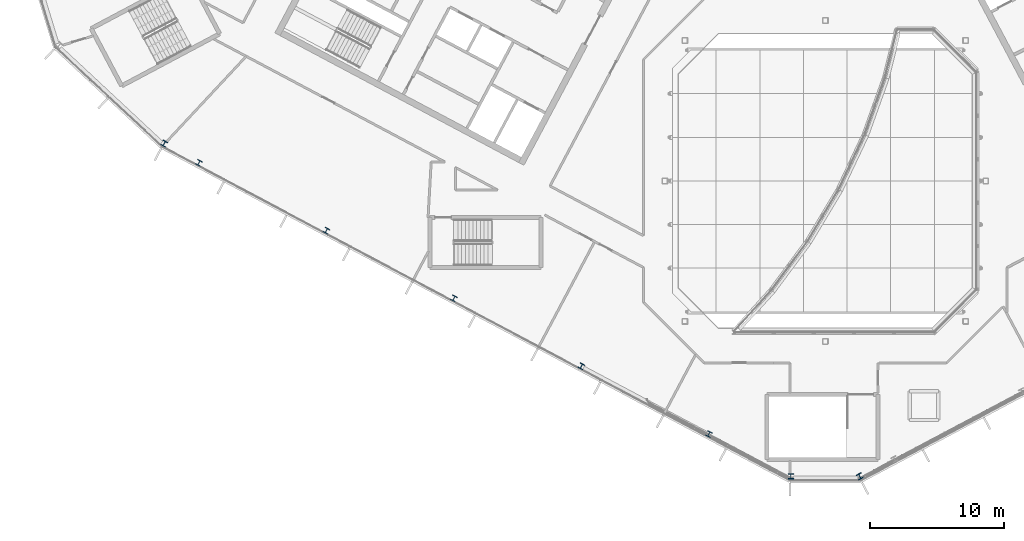
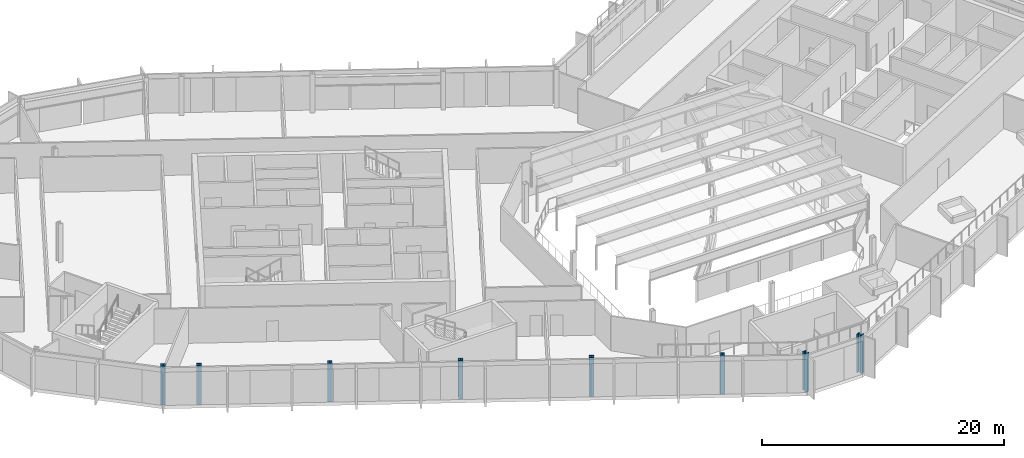
# One storey, part 1 of 35: 8 columns.
"""IFC4 building model written with IfcOpenShell, lengths in metres."""

from ifc_helpers import new_model, si_unit, direction, frame, origin, origin_2d, place, context, subcontext, project, spatial, i_section, extrude, material, material_profile, profile_set, type_object, element, save


model = new_model("IFC4")

# Units and contexts
model_context = context("Model", 3, precision=1e-05, world=origin(), true_north=direction((0.0, 1.0)))
body_context = subcontext(model_context, "Body", "Model", "MODEL_VIEW")
ifc_project = project(units=[si_unit("LENGTHUNIT", "METRE"), si_unit("AREAUNIT", "SQUARE_METRE"), si_unit("VOLUMEUNIT", "CUBIC_METRE"), si_unit("PLANEANGLEUNIT", "RADIAN"), si_unit("MASSUNIT", "GRAM", prefix="KILO")], contexts=[model_context])

# Site, building, storey
site_placement = place(None, origin())
site = spatial("IfcSite", under=ifc_project, at=site_placement, CompositionType="ELEMENT")
building_placement = place(site_placement, origin())
building = spatial("IfcBuilding", under=site, at=building_placement, Name="Cormorant Relay Tower", CompositionType="ELEMENT")
storey_placement = place(building_placement, frame((0.0, 0.0, 324.300048828125)))
storey = spatial("IfcBuildingStorey", under=building, at=storey_placement, Name="L74", CompositionType="ELEMENT", Elevation=324.300048828125)

# Columns
ifc_material_1 = material(Name="Steel ASTM A992 (Fy 345 MPa)", Category="steel")
ifc_material_profile_1 = material_profile(ifc_material_1, i_section(OverallWidth=0.398681640625, OverallDepth=0.385986328125, WebThickness=0.02099609375, FlangeThickness=0.033203125, FilletRadius=0.01513671875, at=origin_2d()), Name="W360x262")
ifc_profile_set_1 = profile_set([ifc_material_profile_1], Name="Steel ASTM A992 (Fy 345 MPa)")
column_type_1 = type_object("IfcColumnType", Name="Column W360x262", PredefinedType="COLUMN", material=ifc_profile_set_1)
for number, where, z_axis, x_axis, name in (
    (1, (-8.705078125, -18.928955078125, 0.0), (0.0, 0.0, 1.0), (0.882947592859, -0.469471562786, 0.0), "Column L74-004"),
    (2, (-18.240966796875, -13.85791015625, 0.0), (0.0, 0.0, 1.0), (0.882947592859, -0.469471562786, 0.0), "Column L74-006"),
    (3, (-27.777099609375, -8.7880859375, 0.0), (0.0, 0.0, 1.0), (0.882947592859, -0.469471562786, 0.0), "Column L74-011"),
    (4, (-37.31298828125, -3.718017578125, 0.0), (0.0, 0.0, 1.0), (0.882947592859, -0.469471562786, 0.0), "Column L74-013"),
    (5, (-46.84912109375, 1.35205078125, 0.0), (0.0, 0.0, 1.0), (0.882947592859, -0.469471562786, 0.0), "Column L74-017"),
):
    element("IfcColumn", number, at=place(storey_placement, frame(where, z_axis=z_axis, x_axis=x_axis)), inside=storey, type_object=column_type_1, Name=name, PredefinedType="COLUMN", context=body_context, shape_type="SweptSolid", body=[
        extrude(i_section(OverallWidth=0.398681640625, OverallDepth=0.385986328125, WebThickness=0.02099609375, FlangeThickness=0.033203125, FilletRadius=0.01513671875, at=origin_2d()), origin(), (0.0, 0.0, 1.0), 3.89990234375),
    ])
ifc_material_2 = material(Name="Steel ASTM A992 (Fy 345 MPa)", Category="steel")
ifc_material_profile_2 = material_profile(ifc_material_2, i_section(OverallWidth=0.40380859375, OverallDepth=0.406494140625, WebThickness=0.027099609375, FlangeThickness=0.043701171875, FilletRadius=0.01513671875, at=origin_2d()), Name="W360x347")
ifc_profile_set_2 = profile_set([ifc_material_profile_2], Name="Steel ASTM A992 (Fy 345 MPa)")
column_type_2 = type_object("IfcColumnType", Name="Column W360x347", PredefinedType="COLUMN", material=ifc_profile_set_2)
for number, where, z_axis, x_axis, name in (
    (6, (-2.5791015625, -22.093994140625, 0.0), (0.0, 0.0, 1.0), (1.0, 0.0, 0.0), "Column L74-001"),
    (7, (2.5791015625, -22.093994140625, 0.0), (0.0, 0.0, 1.0), (0.882947592859, 0.469471562786, 0.0), "Column L74-002"),
    (8, (-49.44091796875, 2.7958984375, 0.0), (0.0, 0.0, 1.0), (0.882947592859, -0.469471562786, 0.0), "Column L74-018"),
):
    element("IfcColumn", number, at=place(storey_placement, frame(where, z_axis=z_axis, x_axis=x_axis)), inside=storey, type_object=column_type_2, Name=name, PredefinedType="COLUMN", context=body_context, shape_type="SweptSolid", body=[
        extrude(i_section(OverallWidth=0.40380859375, OverallDepth=0.406494140625, WebThickness=0.027099609375, FlangeThickness=0.043701171875, FilletRadius=0.01513671875, at=origin_2d()), origin(), (0.0, 0.0, 1.0), 3.89990234375),
    ])

save(model, "model.ifc")
